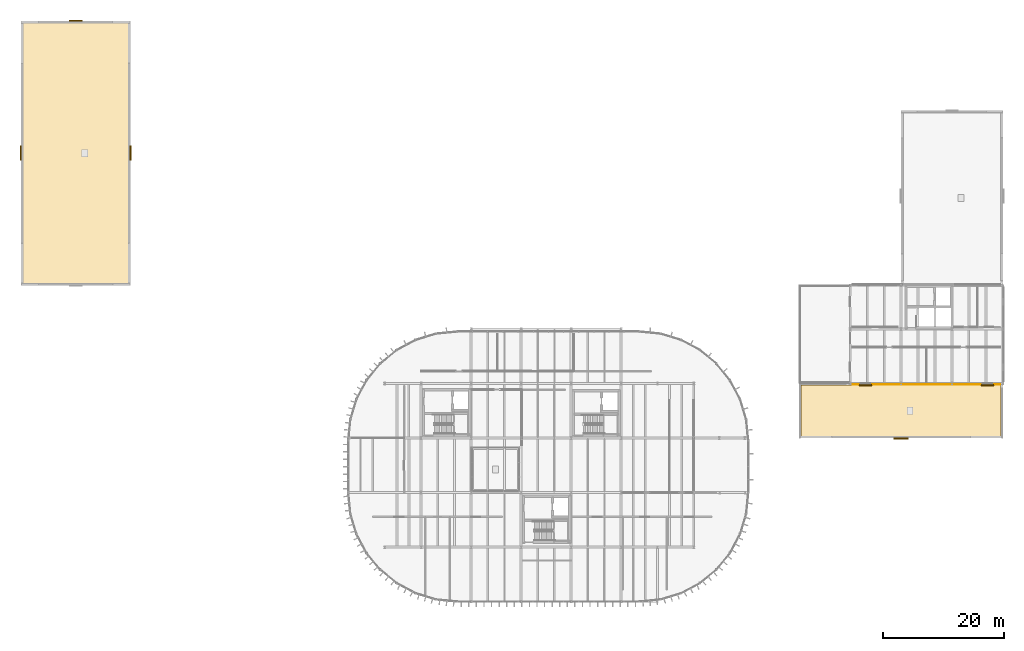
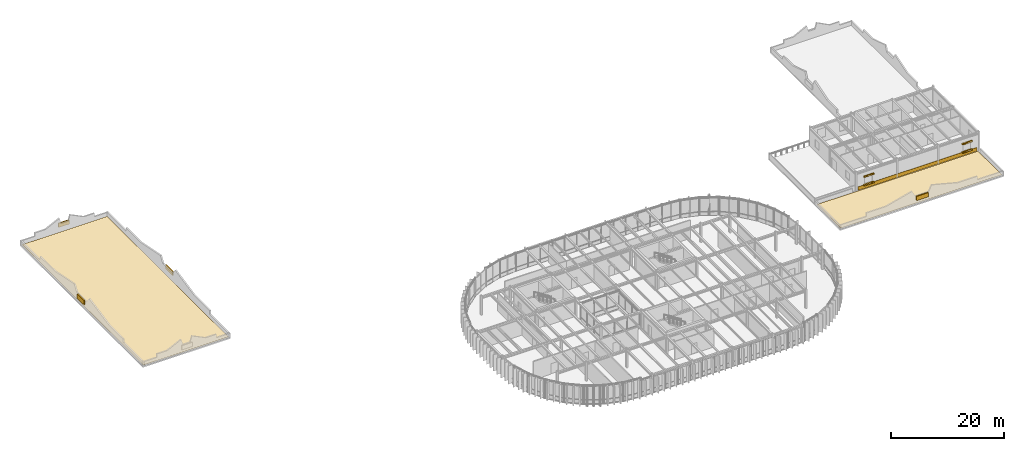
# One storey, part 30 of 31: 11 coverings.
"""IFC4 building model written with IfcOpenShell, lengths in metres."""

from ifc_helpers import new_model, si_unit, direction, frame, origin, origin_2d, place, context, subcontext, project, spatial, polyline, rectangle, outline, extrude, material, layer, layer_set, type_object, element, save


model = new_model("IFC4")

# Units and contexts
model_context = context("Model", 3, precision=1e-05, world=origin(), true_north=direction((0.0, 1.0)))
body_context = subcontext(model_context, "Body", "Model", "MODEL_VIEW")
ifc_project = project(units=[si_unit("LENGTHUNIT", "METRE"), si_unit("AREAUNIT", "SQUARE_METRE"), si_unit("VOLUMEUNIT", "CUBIC_METRE"), si_unit("PLANEANGLEUNIT", "RADIAN"), si_unit("MASSUNIT", "GRAM", prefix="KILO")], contexts=[model_context])

# Site, building, storey
site_placement = place(None, origin())
site = spatial("IfcSite", under=ifc_project, at=site_placement, CompositionType="ELEMENT")
building_placement = place(site_placement, origin())
building = spatial("IfcBuilding", under=site, at=building_placement, Name="Montealbar Specialist Clinic", CompositionType="ELEMENT")
storey_placement = place(building_placement, frame((0.0, 0.0, 13.800048828125)))
storey = spatial("IfcBuildingStorey", under=building, at=storey_placement, Name="L03", CompositionType="ELEMENT", Elevation=13.800048828125)

# Coverings
ifc_material_1 = material(Name="Terracotta architectural cladding", Category="masonry")
ifc_layer_1 = layer(ifc_material_1, 0.044921875, Name="Terracotta architectural cladding", Category="masonry")
ifc_layer_set_1 = layer_set([ifc_layer_1], Name="Terracotta architectural cladding")
covering_type_1 = type_object("IfcCoveringType", Name="COV-CLAD-TERRA", PredefinedType="CLADDING", material=ifc_layer_set_1)
covering_1_placement = place(storey_placement, frame((149.39990234375, 35.84912109375, 0.02978515625), z_axis=(0.0, 0.0, 1.0), x_axis=(-1.0, 0.0, 0.0)))
element("IfcCovering", 1, at=covering_1_placement, inside=storey, type_object=covering_type_1, Name="Facade Plinth Cladding Band L03-048", PredefinedType="CLADDING", context=body_context, shape_type="SweptSolid", body=[
    extrude(rectangle(XDim=24.39990234375, YDim=0.044921875, at=origin_2d()), origin(), (0.0, 0.0, 1.0), 0.780029296875),
])
ifc_material_2 = material(Name="Guadarrama granite ashlar", Category="masonry")
ifc_layer_2 = layer(ifc_material_2, 0.280029296875, Name="Guadarrama granite ashlar", Category="masonry")
ifc_layer_set_2 = layer_set([ifc_layer_2], Name="Guadarrama granite ashlar")
covering_type_2 = type_object("IfcCoveringType", Name="COV-HOOD-OCULUS", PredefinedType="CLADDING", material=ifc_layer_set_2)
for number, where, z_axis, x_axis, name in (
    (2, (159.47998046875, 35.735107421875, 2.5751953125), (0.0, 0.0, 1.0), (-1.0, 0.0, 0.0), "Postmodern Oculus Stone Frame L03-072-TOP"),
    (3, (159.47998046875, 35.735107421875, 0.7548828125), (0.0, 0.0, 1.0), (-1.0, 0.0, 0.0), "Postmodern Oculus Stone Frame L03-072-BOT"),
    (4, (139.320068359375, 35.735107421875, 2.5751953125), (0.0, 0.0, 1.0), (-1.0, 0.0, 0.0), "Postmodern Oculus Stone Frame L03-073-TOP"),
    (5, (139.320068359375, 35.735107421875, 0.7548828125), (0.0, 0.0, 1.0), (-1.0, 0.0, 0.0), "Postmodern Oculus Stone Frame L03-073-BOT"),
):
    element("IfcCovering", number, at=place(storey_placement, frame(where, z_axis=z_axis, x_axis=x_axis)), inside=storey, type_object=covering_type_2, Name=name, PredefinedType="CLADDING", context=body_context, shape_type="SweptSolid", body=[
        extrude(rectangle(XDim=2.0400390625, YDim=0.280029296875, at=origin_2d()), origin(), (0.0, 0.0, 1.0), 0.199951171875),
    ])
for number, where, z_axis, x_axis, name in (
    (6, (145.199951171875, 26.929931640625, 0.89990234375), (0.0, 0.0, 1.0), (-1.0, 0.0, 0.0), "Postmodern Pediment Granite Keystone L03-08"),
    (7, (-0.070068359375, 74.0, 0.89990234375), (0.0, 0.0, 1.0), (0.0, 1.0, 0.0), "Postmodern Pediment Granite Keystone L03-12"),
):
    element("IfcCovering", number, at=place(storey_placement, frame(where, z_axis=z_axis, x_axis=x_axis)), inside=storey, type_object=covering_type_2, Name=name, PredefinedType="CLADDING", context=body_context, shape_type="SweptSolid", body=[
        extrude(rectangle(XDim=2.39990234375, YDim=0.219970703125, at=origin_2d()), origin(), (0.0, 0.0, 1.0), 0.89990234375),
    ])
covering_2_placement = place(storey_placement, frame((9.0, 95.8701171875, 0.89990234375), z_axis=(0.0, 0.0, 1.0), x_axis=(1.0, 0.0, 0.0)))
element("IfcCovering", 8, at=covering_2_placement, inside=storey, type_object=covering_type_2, Name="Postmodern Pediment Granite Keystone L03-13", PredefinedType="CLADDING", context=body_context, shape_type="SweptSolid", body=[
    extrude(rectangle(XDim=2.159912109375, YDim=0.219970703125, at=origin_2d()), origin(), (0.0, 0.0, 1.0), 0.89990234375),
])
covering_3_placement = place(storey_placement, frame((18.070068359375, 74.0, 0.89990234375), z_axis=(0.0, 0.0, 1.0), x_axis=(0.0, -1.0, 0.0)))
element("IfcCovering", 9, at=covering_3_placement, inside=storey, type_object=covering_type_2, Name="Postmodern Pediment Granite Keystone L03-14", PredefinedType="CLADDING", context=body_context, shape_type="SweptSolid", body=[
    extrude(rectangle(XDim=2.39990234375, YDim=0.219970703125, at=origin_2d()), origin(), (0.0, 0.0, 1.0), 0.89990234375),
])
ifc_material_3 = material(Name="Weatherproof roofing membrane", Category="concrete")
ifc_layer_3 = layer(ifc_material_3, 0.030029296875, Name="Weatherproof roofing membrane", Category="concrete")
ifc_layer_set_3 = layer_set([ifc_layer_3], Name="Weatherproof roofing membrane")
covering_type_3 = type_object("IfcCoveringType", Name="COV-ROOF-MEMB", PredefinedType="ROOFING", material=ifc_layer_set_3)
covering_4_placement = place(storey_placement, origin())
element("IfcCovering", 10, at=covering_4_placement, inside=storey, type_object=covering_type_3, Name="Weatherproof Roof Membrane ROOF-L03-01", PredefinedType="ROOFING", context=body_context, shape_type="SweptSolid", body=[
    extrude(outline(polyline([(128.679931640625, 27.280029296875), (128.679931640625, 35.719970703125), (161.719970703125, 35.719970703125), (161.719970703125, 27.280029296875), (128.679931640625, 27.280029296875)])), origin(), (0.0, 0.0, 1.0), 0.030029296875),
])
covering_5_placement = place(storey_placement, origin())
element("IfcCovering", 11, at=covering_5_placement, inside=storey, type_object=covering_type_3, Name="Weatherproof Roof Membrane ROOF-L03-04", PredefinedType="ROOFING", context=body_context, shape_type="SweptSolid", body=[
    extrude(outline(polyline([(0.280029296875, 52.47998046875), (0.280029296875, 95.52001953125), (17.719970703125, 95.52001953125), (17.719970703125, 52.47998046875), (0.280029296875, 52.47998046875)])), origin(), (0.0, 0.0, 1.0), 0.030029296875),
])

save(model, "model.ifc")
